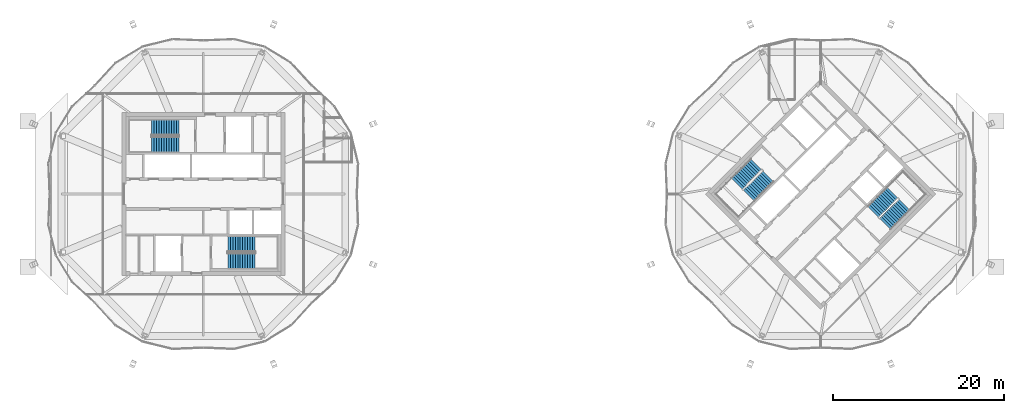
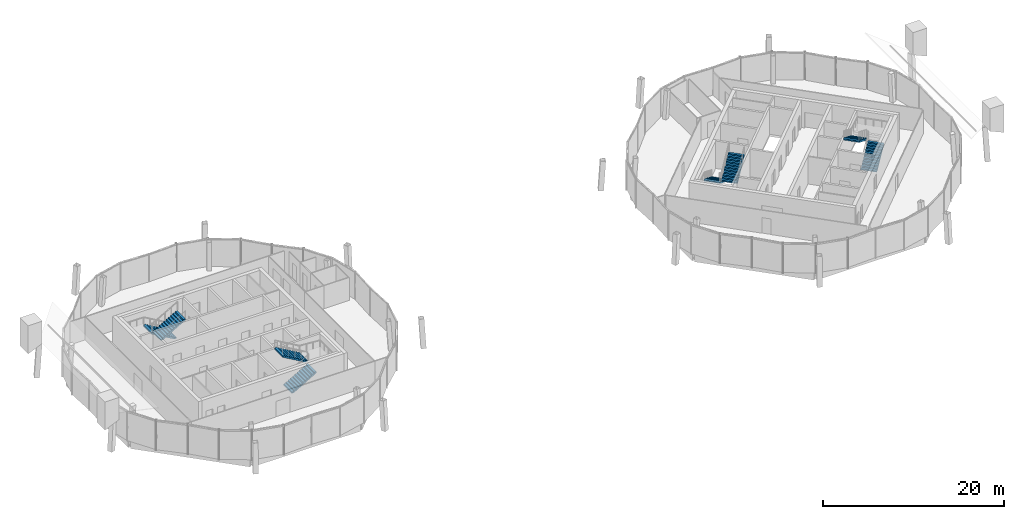
# One storey, part 20 of 22: 8 stair flights, 4 elements without a shape of their own.
"""IFC4 building model written with IfcOpenShell, lengths in metres."""

from ifc_helpers import new_model, si_unit, direction, frame, origin, place, context, subcontext, project, spatial, polyline, outline, extrude, material, type_object, element, aggregate, save


model = new_model("IFC4")

# Units and contexts
model_context = context("Model", 3, precision=1e-05, world=origin(), true_north=direction((0.0, 1.0)))
body_context = subcontext(model_context, "Body", "Model", "MODEL_VIEW")
ifc_project = project(units=[si_unit("LENGTHUNIT", "METRE"), si_unit("AREAUNIT", "SQUARE_METRE"), si_unit("VOLUMEUNIT", "CUBIC_METRE"), si_unit("PLANEANGLEUNIT", "RADIAN"), si_unit("MASSUNIT", "GRAM", prefix="KILO")], contexts=[model_context])

# Site, building, storey
site_placement = place(None, origin())
site = spatial("IfcSite", under=ifc_project, at=site_placement, CompositionType="ELEMENT")
building_placement = place(site_placement, origin())
building = spatial("IfcBuilding", under=site, at=building_placement, Name="Ogive Gate Towers", CompositionType="ELEMENT")
storey_placement = place(building_placement, frame((0.0, 0.0, 298.0)))
storey = spatial("IfcBuildingStorey", under=building, at=storey_placement, Name="L70", CompositionType="ELEMENT", Elevation=298.0)

# Stair, stair flights
ifc_material = material(Name="Concrete C40/50", Category="concrete")
stair_type = type_object("IfcStairType", Name="Escape stair 1840 wide", PredefinedType="HALF_TURN_STAIR", material=ifc_material)
stair_1_placement = place(storey_placement, origin())
stair_1 = element("IfcStair", 1, at=stair_1_placement, inside=storey, type_object=stair_type, Name="L70 Escape stair 1", PredefinedType="HALF_TURN_STAIR")
stair_flight_type = type_object("IfcStairFlightType", Name="Stair flight 1840 wide", PredefinedType="STRAIGHT", material=ifc_material)
stair_flight_1_placement = place(storey_placement, frame((-38.864990234375, 7.780029296875, 0.0), z_axis=(0.0, 0.0, 1.0), x_axis=(-1.0, 0.0, 0.0)))
stair_flight_1 = element("IfcStairFlight", 2, at=stair_flight_1_placement, type_object=stair_flight_type, Name="ST1 flight 1", NumberOfRisers=12, NumberOfTreads=11, PredefinedType="STRAIGHT", RiserHeight=0.166666667, TreadLength=0.2875, context=body_context, shape_type="SweptSolid", body=[
    extrude(outline(polyline([(0.0, 0.0), (0.0, 0.166748046875), (0.28759765625, 0.166748046875), (0.28759765625, 0.333251953125), (0.574951171875, 0.333251953125), (0.574951171875, 0.5), (0.862548828125, 0.5), (0.862548828125, 0.666748046875), (1.14990234375, 0.666748046875), (1.14990234375, 0.833251953125), (1.4375, 0.833251953125), (1.4375, 1.0), (1.72509765625, 1.0), (1.72509765625, 1.166748046875), (2.012451171875, 1.166748046875), (2.012451171875, 1.333251953125), (2.300048828125, 1.333251953125), (2.300048828125, 1.5), (2.58740234375, 1.5), (2.58740234375, 1.666748046875), (2.875, 1.666748046875), (2.875, 1.833251953125), (3.16259765625, 1.833251953125), (3.16259765625, 2.0), (3.16259765625, 1.66015625), (0.298828125, 0.0), (0.0, 0.0)])), frame((0.0, 0.919921875, 0.0), z_axis=(0.0, -1.0, 0.0), x_axis=(1.0, 0.0, 0.0)), (0.0, 0.0, 1.0), 1.840087890625),
])
stair_flight_2_placement = place(storey_placement, frame((-42.027587890625, 5.794921875, 2.0), z_axis=(0.0, 0.0, 1.0), x_axis=(1.0, 0.0, 0.0)))
stair_flight_2 = element("IfcStairFlight", 3, at=stair_flight_2_placement, type_object=stair_flight_type, Name="ST1 flight 2", NumberOfRisers=12, NumberOfTreads=11, PredefinedType="STRAIGHT", RiserHeight=0.166666667, TreadLength=0.2875, context=body_context, shape_type="SweptSolid", body=[
    extrude(outline(polyline([(0.0, 0.0), (0.0, 0.166748046875), (0.28759765625, 0.166748046875), (0.28759765625, 0.333251953125), (0.574951171875, 0.333251953125), (0.574951171875, 0.5), (0.862548828125, 0.5), (0.862548828125, 0.666748046875), (1.14990234375, 0.666748046875), (1.14990234375, 0.833251953125), (1.4375, 0.833251953125), (1.4375, 1.0), (1.72509765625, 1.0), (1.72509765625, 1.166748046875), (2.012451171875, 1.166748046875), (2.012451171875, 1.333251953125), (2.300048828125, 1.333251953125), (2.300048828125, 1.5), (2.58740234375, 1.5), (2.58740234375, 1.666748046875), (2.875, 1.666748046875), (2.875, 1.833251953125), (3.16259765625, 1.833251953125), (3.16259765625, 2.0), (3.16259765625, 1.66015625), (0.298828125, 0.0), (0.0, 0.0)])), frame((0.0, 0.919921875, 0.0), z_axis=(0.0, -1.0, 0.0), x_axis=(1.0, 0.0, 0.0)), (0.0, 0.0, 1.0), 1.840087890625),
])
aggregate(stair_1, [stair_flight_1, stair_flight_2])

stair_2_placement = place(storey_placement, origin())
stair_2 = element("IfcStair", 4, at=stair_2_placement, inside=storey, type_object=stair_type, Name="L70 Escape stair 2", PredefinedType="HALF_TURN_STAIR")
stair_flight_3_placement = place(storey_placement, frame((-33.135009765625, -7.780029296875, 0.0), z_axis=(0.0, 0.0, 1.0), x_axis=(1.0, 0.0, 0.0)))
stair_flight_3 = element("IfcStairFlight", 5, at=stair_flight_3_placement, type_object=stair_flight_type, Name="ST2 flight 1", NumberOfRisers=12, NumberOfTreads=11, PredefinedType="STRAIGHT", RiserHeight=0.166666667, TreadLength=0.2875, context=body_context, shape_type="SweptSolid", body=[
    extrude(outline(polyline([(0.0, 0.0), (0.0, 0.166748046875), (0.28759765625, 0.166748046875), (0.28759765625, 0.333251953125), (0.574951171875, 0.333251953125), (0.574951171875, 0.5), (0.862548828125, 0.5), (0.862548828125, 0.666748046875), (1.14990234375, 0.666748046875), (1.14990234375, 0.833251953125), (1.4375, 0.833251953125), (1.4375, 1.0), (1.72509765625, 1.0), (1.72509765625, 1.166748046875), (2.012451171875, 1.166748046875), (2.012451171875, 1.333251953125), (2.300048828125, 1.333251953125), (2.300048828125, 1.5), (2.58740234375, 1.5), (2.58740234375, 1.666748046875), (2.875, 1.666748046875), (2.875, 1.833251953125), (3.16259765625, 1.833251953125), (3.16259765625, 2.0), (3.16259765625, 1.66015625), (0.298828125, 0.0), (0.0, 0.0)])), frame((0.0, 0.919921875, 0.0), z_axis=(0.0, -1.0, 0.0), x_axis=(1.0, 0.0, 0.0)), (0.0, 0.0, 1.0), 1.840087890625),
])
stair_flight_4_placement = place(storey_placement, frame((-29.972412109375, -5.794921875, 2.0), z_axis=(0.0, 0.0, 1.0), x_axis=(-1.0, 0.0, 0.0)))
stair_flight_4 = element("IfcStairFlight", 6, at=stair_flight_4_placement, type_object=stair_flight_type, Name="ST2 flight 2", NumberOfRisers=12, NumberOfTreads=11, PredefinedType="STRAIGHT", RiserHeight=0.166666667, TreadLength=0.2875, context=body_context, shape_type="SweptSolid", body=[
    extrude(outline(polyline([(0.0, 0.0), (0.0, 0.166748046875), (0.28759765625, 0.166748046875), (0.28759765625, 0.333251953125), (0.574951171875, 0.333251953125), (0.574951171875, 0.5), (0.862548828125, 0.5), (0.862548828125, 0.666748046875), (1.14990234375, 0.666748046875), (1.14990234375, 0.833251953125), (1.4375, 0.833251953125), (1.4375, 1.0), (1.72509765625, 1.0), (1.72509765625, 1.166748046875), (2.012451171875, 1.166748046875), (2.012451171875, 1.333251953125), (2.300048828125, 1.333251953125), (2.300048828125, 1.5), (2.58740234375, 1.5), (2.58740234375, 1.666748046875), (2.875, 1.666748046875), (2.875, 1.833251953125), (3.16259765625, 1.833251953125), (3.16259765625, 2.0), (3.16259765625, 1.66015625), (0.298828125, 0.0), (0.0, 0.0)])), frame((0.0, 0.919921875, 0.0), z_axis=(0.0, -1.0, 0.0), x_axis=(1.0, 0.0, 0.0)), (0.0, 0.0, 1.0), 1.840087890625),
])
aggregate(stair_2, [stair_flight_3, stair_flight_4])

stair_3_placement = place(storey_placement, origin())
stair_3 = element("IfcStair", 7, at=stair_3_placement, inside=storey, type_object=stair_type, Name="L70 Escape stair 1", PredefinedType="HALF_TURN_STAIR")
stair_flight_5_placement = place(storey_placement, frame((28.472900390625, 3.475341796875, 0.0), z_axis=(0.0, 0.0, 1.0), x_axis=(-0.707106781187, -0.707106781187, 0.0)))
stair_flight_5 = element("IfcStairFlight", 8, at=stair_flight_5_placement, type_object=stair_flight_type, Name="ST1 flight 1", NumberOfRisers=12, NumberOfTreads=11, PredefinedType="STRAIGHT", RiserHeight=0.166666667, TreadLength=0.2875, context=body_context, shape_type="SweptSolid", body=[
    extrude(outline(polyline([(0.0, 0.0), (0.0, 0.166748046875), (0.28759765625, 0.166748046875), (0.28759765625, 0.333251953125), (0.574951171875, 0.333251953125), (0.574951171875, 0.5), (0.862548828125, 0.5), (0.862548828125, 0.666748046875), (1.14990234375, 0.666748046875), (1.14990234375, 0.833251953125), (1.4375, 0.833251953125), (1.4375, 1.0), (1.72509765625, 1.0), (1.72509765625, 1.166748046875), (2.012451171875, 1.166748046875), (2.012451171875, 1.333251953125), (2.300048828125, 1.333251953125), (2.300048828125, 1.5), (2.58740234375, 1.5), (2.58740234375, 1.666748046875), (2.875, 1.666748046875), (2.875, 1.833251953125), (3.16259765625, 1.833251953125), (3.16259765625, 2.0), (3.16259765625, 1.66015625), (0.298828125, 0.0), (0.0, 0.0)])), frame((0.0, 0.919921875, 0.0), z_axis=(0.0, -1.0, 0.0), x_axis=(1.0, 0.0, 0.0)), (0.0, 0.0, 1.0), 1.840087890625),
])
stair_flight_6_placement = place(storey_placement, frame((27.64013671875, -0.164306640625, 2.0), z_axis=(0.0, 0.0, 1.0), x_axis=(0.707106781187, 0.707106781187, 0.0)))
stair_flight_6 = element("IfcStairFlight", 9, at=stair_flight_6_placement, type_object=stair_flight_type, Name="ST1 flight 2", NumberOfRisers=12, NumberOfTreads=11, PredefinedType="STRAIGHT", RiserHeight=0.166666667, TreadLength=0.2875, context=body_context, shape_type="SweptSolid", body=[
    extrude(outline(polyline([(0.0, 0.0), (0.0, 0.166748046875), (0.28759765625, 0.166748046875), (0.28759765625, 0.333251953125), (0.574951171875, 0.333251953125), (0.574951171875, 0.5), (0.862548828125, 0.5), (0.862548828125, 0.666748046875), (1.14990234375, 0.666748046875), (1.14990234375, 0.833251953125), (1.4375, 0.833251953125), (1.4375, 1.0), (1.72509765625, 1.0), (1.72509765625, 1.166748046875), (2.012451171875, 1.166748046875), (2.012451171875, 1.333251953125), (2.300048828125, 1.333251953125), (2.300048828125, 1.5), (2.58740234375, 1.5), (2.58740234375, 1.666748046875), (2.875, 1.666748046875), (2.875, 1.833251953125), (3.16259765625, 1.833251953125), (3.16259765625, 2.0), (3.16259765625, 1.66015625), (0.298828125, 0.0), (0.0, 0.0)])), frame((0.0, 0.919921875, 0.0), z_axis=(0.0, -1.0, 0.0), x_axis=(1.0, 0.0, 0.0)), (0.0, 0.0, 1.0), 1.840087890625),
])
aggregate(stair_3, [stair_flight_5, stair_flight_6])

stair_4_placement = place(storey_placement, origin())
stair_4 = element("IfcStair", 10, at=stair_4_placement, inside=storey, type_object=stair_type, Name="L70 Escape stair 2", PredefinedType="HALF_TURN_STAIR")
stair_flight_7_placement = place(storey_placement, frame((43.527099609375, -3.475341796875, 0.0), z_axis=(0.0, 0.0, 1.0), x_axis=(0.707106781187, 0.707106781187, 0.0)))
stair_flight_7 = element("IfcStairFlight", 11, at=stair_flight_7_placement, type_object=stair_flight_type, Name="ST2 flight 1", NumberOfRisers=12, NumberOfTreads=11, PredefinedType="STRAIGHT", RiserHeight=0.166666667, TreadLength=0.2875, context=body_context, shape_type="SweptSolid", body=[
    extrude(outline(polyline([(0.0, 0.0), (0.0, 0.166748046875), (0.28759765625, 0.166748046875), (0.28759765625, 0.333251953125), (0.574951171875, 0.333251953125), (0.574951171875, 0.5), (0.862548828125, 0.5), (0.862548828125, 0.666748046875), (1.14990234375, 0.666748046875), (1.14990234375, 0.833251953125), (1.4375, 0.833251953125), (1.4375, 1.0), (1.72509765625, 1.0), (1.72509765625, 1.166748046875), (2.012451171875, 1.166748046875), (2.012451171875, 1.333251953125), (2.300048828125, 1.333251953125), (2.300048828125, 1.5), (2.58740234375, 1.5), (2.58740234375, 1.666748046875), (2.875, 1.666748046875), (2.875, 1.833251953125), (3.16259765625, 1.833251953125), (3.16259765625, 2.0), (3.16259765625, 1.66015625), (0.298828125, 0.0), (0.0, 0.0)])), frame((0.0, 0.919921875, 0.0), z_axis=(0.0, -1.0, 0.0), x_axis=(1.0, 0.0, 0.0)), (0.0, 0.0, 1.0), 1.840087890625),
])
stair_flight_8_placement = place(storey_placement, frame((44.35986328125, 0.164306640625, 2.0), z_axis=(0.0, 0.0, 1.0), x_axis=(-0.707106781187, -0.707106781187, 0.0)))
stair_flight_8 = element("IfcStairFlight", 12, at=stair_flight_8_placement, type_object=stair_flight_type, Name="ST2 flight 2", NumberOfRisers=12, NumberOfTreads=11, PredefinedType="STRAIGHT", RiserHeight=0.166666667, TreadLength=0.2875, context=body_context, shape_type="SweptSolid", body=[
    extrude(outline(polyline([(0.0, 0.0), (0.0, 0.166748046875), (0.28759765625, 0.166748046875), (0.28759765625, 0.333251953125), (0.574951171875, 0.333251953125), (0.574951171875, 0.5), (0.862548828125, 0.5), (0.862548828125, 0.666748046875), (1.14990234375, 0.666748046875), (1.14990234375, 0.833251953125), (1.4375, 0.833251953125), (1.4375, 1.0), (1.72509765625, 1.0), (1.72509765625, 1.166748046875), (2.012451171875, 1.166748046875), (2.012451171875, 1.333251953125), (2.300048828125, 1.333251953125), (2.300048828125, 1.5), (2.58740234375, 1.5), (2.58740234375, 1.666748046875), (2.875, 1.666748046875), (2.875, 1.833251953125), (3.16259765625, 1.833251953125), (3.16259765625, 2.0), (3.16259765625, 1.66015625), (0.298828125, 0.0), (0.0, 0.0)])), frame((0.0, 0.919921875, 0.0), z_axis=(0.0, -1.0, 0.0), x_axis=(1.0, 0.0, 0.0)), (0.0, 0.0, 1.0), 1.840087890625),
])
aggregate(stair_4, [stair_flight_7, stair_flight_8])

save(model, "model.ifc")
